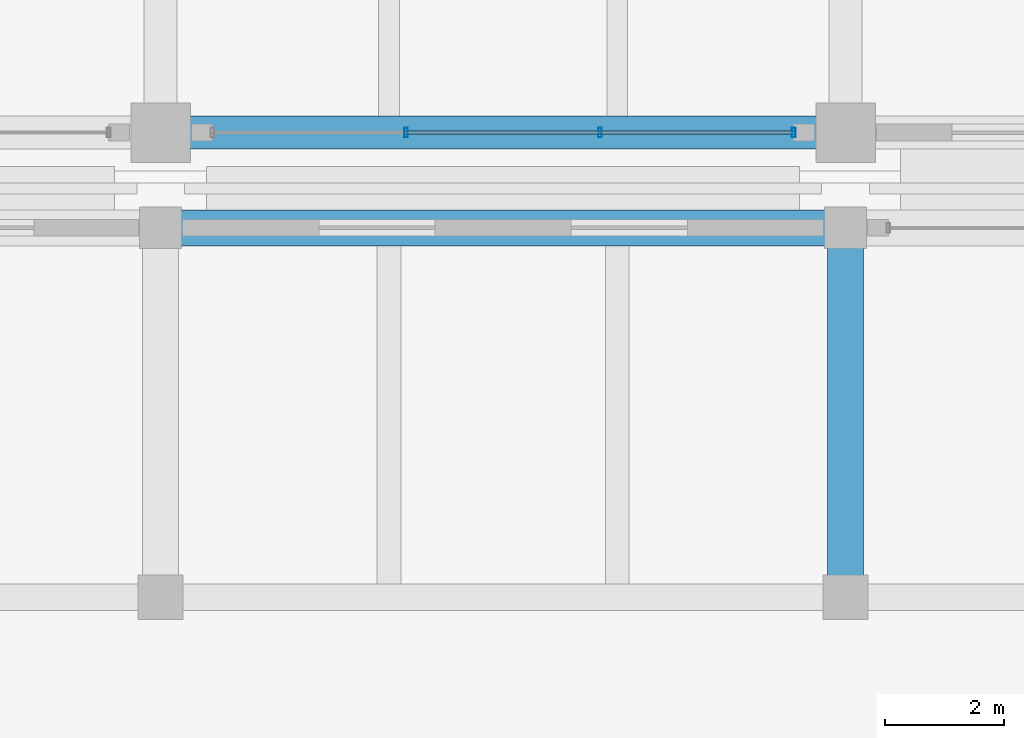
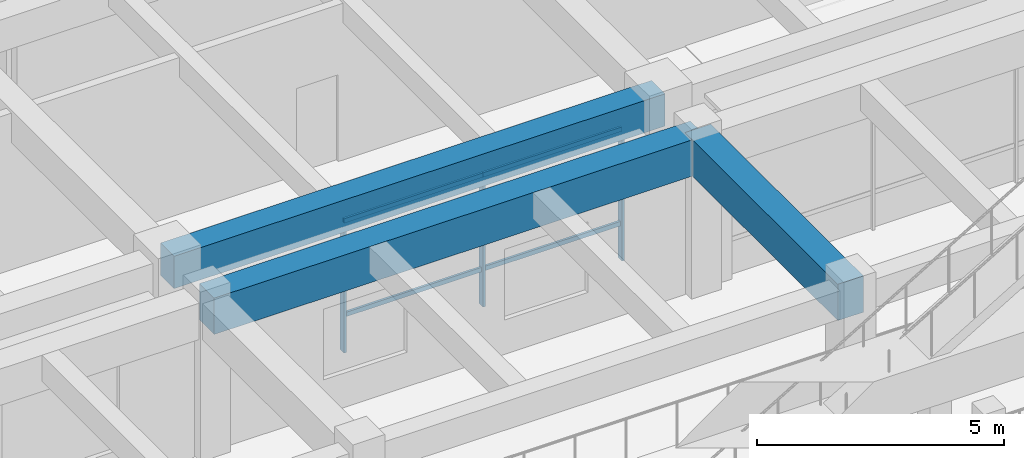
# One storey, part 29 of 109: 7 members, 3 beams, 1 element without a shape of its own.
"""IFC4 building model written with IfcOpenShell, lengths in metres."""

from ifc_helpers import new_model, si_unit, direction, frame, origin, origin_2d, place, context, subcontext, project, spatial, rectangle, hollow_rectangle, extrude, material, material_profile, profile_set, type_object, element, aggregate, save


model = new_model("IFC4")

# Units and contexts
model_context = context("Model", 3, precision=1e-05, world=origin(), true_north=direction((0.0, 1.0)))
body_context = subcontext(model_context, "Body", "Model", "MODEL_VIEW")
ifc_project = project(units=[si_unit("LENGTHUNIT", "METRE"), si_unit("AREAUNIT", "SQUARE_METRE"), si_unit("VOLUMEUNIT", "CUBIC_METRE"), si_unit("PLANEANGLEUNIT", "RADIAN"), si_unit("MASSUNIT", "GRAM", prefix="KILO")], contexts=[model_context])

# Site, building, storey
site_placement = place(None, origin())
site = spatial("IfcSite", under=ifc_project, at=site_placement, CompositionType="ELEMENT")
building_placement = place(site_placement, origin())
building = spatial("IfcBuilding", under=site, at=building_placement, Name="Ologun Quay Terminus", CompositionType="ELEMENT")
storey_placement = place(building_placement, origin())
storey = spatial("IfcBuildingStorey", under=building, at=storey_placement, Name="L00", CompositionType="ELEMENT", Elevation=0.0)

# Curtain wall, members
ifc_material_1 = material(Name="Aluminium 6063-T6", Category="aluminium")
curtain_wall_type = type_object("IfcCurtainWallType", Name="Waterfront Pavilion Harbour Curtain Wall L00 10500x3750", PredefinedType="USERDEFINED", material=ifc_material_1)
curtain_wall_placement = place(storey_placement, origin())
curtain_wall = element("IfcCurtainWall", 1, at=curtain_wall_placement, inside=storey, type_object=curtain_wall_type, Name="CW-22 Curtain Wall CW-L00-093", ObjectType="UNITISED CURTAIN WALL", PredefinedType="USERDEFINED")
ifc_material_2 = material(Name="Aluminium 6063-T6", Category="aluminium")
ifc_material_profile_1 = material_profile(ifc_material_2, hollow_rectangle(XDim=0.06005859375, YDim=0.159912109375, WallThickness=0.00390625, at=origin_2d()), Name="ALU 160x60x4")
ifc_profile_set_1 = profile_set([ifc_material_profile_1], Name="Aluminium 6063-T6")
member_type_1 = type_object("IfcMemberType", Name="Courtyard Screen Mullion 160x65", PredefinedType="MULLION", material=ifc_profile_set_1)
member_1_placement = place(storey_placement, frame((38.623291015625, 85.800048828125, 0.0), z_axis=(0.0, 0.0, 1.0), x_axis=(1.0, 0.0, 0.0)))
member_1 = element("IfcMember", 2, at=member_1_placement, type_object=member_type_1, Name="CW-L00-093 Mullion 2", PredefinedType="MULLION", context=body_context, shape_type="SweptSolid", body=[
    extrude(hollow_rectangle(XDim=0.06005859375, YDim=0.159912109375, WallThickness=0.00390625, at=origin_2d()), origin(), (0.0, 0.0, 1.0), 3.929931640625),
])
member_2_placement = place(storey_placement, frame((41.876708984375, 85.800048828125, 0.0), z_axis=(0.0, 0.0, 1.0), x_axis=(1.0, 0.0, 0.0)))
member_2 = element("IfcMember", 3, at=member_2_placement, type_object=member_type_1, Name="CW-L00-093 Mullion 3", PredefinedType="MULLION", context=body_context, shape_type="SweptSolid", body=[
    extrude(hollow_rectangle(XDim=0.06005859375, YDim=0.159912109375, WallThickness=0.00390625, at=origin_2d()), origin(), (0.0, 0.0, 1.0), 3.929931640625),
])
member_3_placement = place(storey_placement, frame((45.1298828125, 85.800048828125, 0.0), z_axis=(0.0, 0.0, 1.0), x_axis=(1.0, 0.0, 0.0)))
member_3 = element("IfcMember", 4, at=member_3_placement, type_object=member_type_1, Name="CW-L00-093 Mullion 4", PredefinedType="MULLION", context=body_context, shape_type="SweptSolid", body=[
    extrude(hollow_rectangle(XDim=0.06005859375, YDim=0.159912109375, WallThickness=0.00390625, at=origin_2d()), origin(), (0.0, 0.0, 1.0), 3.929931640625),
])
ifc_material_3 = material(Name="Aluminium 6063-T6", Category="aluminium")
ifc_material_profile_2 = material_profile(ifc_material_3, hollow_rectangle(XDim=0.054931640625, YDim=0.110107421875, WallThickness=0.00390625, at=origin_2d()), Name="ALU 110x55x4")
ifc_profile_set_2 = profile_set([ifc_material_profile_2], Name="Aluminium 6063-T6")
member_type_2 = type_object("IfcMemberType", Name="Courtyard Screen Transom 110x55", PredefinedType="USERDEFINED", material=ifc_profile_set_2)
member_4_placement = place(storey_placement, frame((38.623291015625, 85.800048828125, 0.89990234375), z_axis=(1.0, 0.0, 0.0), x_axis=(0.0, 1.0, 0.0)))
member_4 = element("IfcMember", 5, at=member_4_placement, type_object=member_type_2, Name="CW-L00-093 Transom B2-1", ObjectType="TRANSOM", PredefinedType="USERDEFINED", context=body_context, shape_type="SweptSolid", body=[
    extrude(hollow_rectangle(XDim=0.054931640625, YDim=0.110107421875, WallThickness=0.00390625, at=origin_2d()), origin(), (0.0, 0.0, 1.0), 3.25341796875),
])
member_5_placement = place(storey_placement, frame((38.623291015625, 85.800048828125, 3.22998046875), z_axis=(1.0, 0.0, 0.0), x_axis=(0.0, 1.0, 0.0)))
member_5 = element("IfcMember", 6, at=member_5_placement, type_object=member_type_2, Name="CW-L00-093 Transom B2-2", ObjectType="TRANSOM", PredefinedType="USERDEFINED", context=body_context, shape_type="SweptSolid", body=[
    extrude(hollow_rectangle(XDim=0.054931640625, YDim=0.110107421875, WallThickness=0.00390625, at=origin_2d()), origin(), (0.0, 0.0, 1.0), 3.25341796875),
])
member_6_placement = place(storey_placement, frame((41.876708984375, 85.800048828125, 0.89990234375), z_axis=(1.0, 0.0, 0.0), x_axis=(0.0, 1.0, 0.0)))
member_6 = element("IfcMember", 7, at=member_6_placement, type_object=member_type_2, Name="CW-L00-093 Transom B3-1", ObjectType="TRANSOM", PredefinedType="USERDEFINED", context=body_context, shape_type="SweptSolid", body=[
    extrude(hollow_rectangle(XDim=0.054931640625, YDim=0.110107421875, WallThickness=0.00390625, at=origin_2d()), origin(), (0.0, 0.0, 1.0), 3.253173828125),
])
member_7_placement = place(storey_placement, frame((41.876708984375, 85.800048828125, 3.22998046875), z_axis=(1.0, 0.0, 0.0), x_axis=(0.0, 1.0, 0.0)))
member_7 = element("IfcMember", 8, at=member_7_placement, type_object=member_type_2, Name="CW-L00-093 Transom B3-2", ObjectType="TRANSOM", PredefinedType="USERDEFINED", context=body_context, shape_type="SweptSolid", body=[
    extrude(hollow_rectangle(XDim=0.054931640625, YDim=0.110107421875, WallThickness=0.00390625, at=origin_2d()), origin(), (0.0, 0.0, 1.0), 3.253173828125),
])
aggregate(curtain_wall, [member_1, member_2, member_3, member_4, member_5, member_6, member_7])

# Beams
ifc_material_4 = material(Name="Concrete C40/50", Category="concrete")
ifc_material_profile_3 = material_profile(ifc_material_4, rectangle(XDim=0.550048828125, YDim=0.800048828125, at=origin_2d()), Name="RC 550x800")
ifc_profile_set_3 = profile_set([ifc_material_profile_3], Name="Concrete C40/50")
beam_type_1 = type_object("IfcBeamType", Name="Courtyard Wing Primary Girder 550x800", PredefinedType="BEAM", material=ifc_profile_set_3)
beam_1_placement = place(storey_placement, frame((34.5, 85.800048828125, 3.550048828125), z_axis=(1.0, 0.0, 0.0), x_axis=(0.0, 1.0, 0.0)))
element("IfcBeam", 9, at=beam_1_placement, inside=storey, type_object=beam_type_1, Name="B4 Beam 4/G2 L00", PredefinedType="BEAM", context=body_context, shape_type="SweptSolid", body=[
    extrude(rectangle(XDim=0.550048828125, YDim=0.800048828125, at=origin_2d()), origin(), (0.0, 0.0, 1.0), 11.5),
])
ifc_material_5 = material(Name="Concrete C40/50", Category="concrete")
ifc_material_profile_4 = material_profile(ifc_material_5, rectangle(XDim=0.60009765625, YDim=0.89990234375, at=origin_2d()), Name="RC 600x900")
ifc_profile_set_4 = profile_set([ifc_material_profile_4], Name="Concrete C40/50")
beam_type_2 = type_object("IfcBeamType", Name="Station Frame Girder 600x900", PredefinedType="BEAM", material=ifc_profile_set_4)
beam_2_placement = place(storey_placement, frame((34.5, 84.199951171875, 3.449951171875), z_axis=(1.0, 0.0, 0.0), x_axis=(0.0, 1.0, 0.0)))
element("IfcBeam", 10, at=beam_2_placement, inside=storey, type_object=beam_type_2, Name="B3 Beam 4/G1 L00", PredefinedType="BEAM", context=body_context, shape_type="SweptSolid", body=[
    extrude(rectangle(XDim=0.60009765625, YDim=0.89990234375, at=origin_2d()), origin(), (0.0, 0.0, 1.0), 11.5),
])
beam_3_placement = place(storey_placement, frame((46.0, 78.0, 3.449951171875), z_axis=(0.0, 1.0, 0.0), x_axis=(-1.0, 0.0, 0.0)))
element("IfcBeam", 11, at=beam_3_placement, inside=storey, type_object=beam_type_2, Name="B3 Beam 5/F L00", PredefinedType="BEAM", context=body_context, shape_type="SweptSolid", body=[
    extrude(rectangle(XDim=0.60009765625, YDim=0.89990234375, at=origin_2d()), origin(), (0.0, 0.0, 1.0), 6.199951171875),
])

save(model, "model.ifc")
